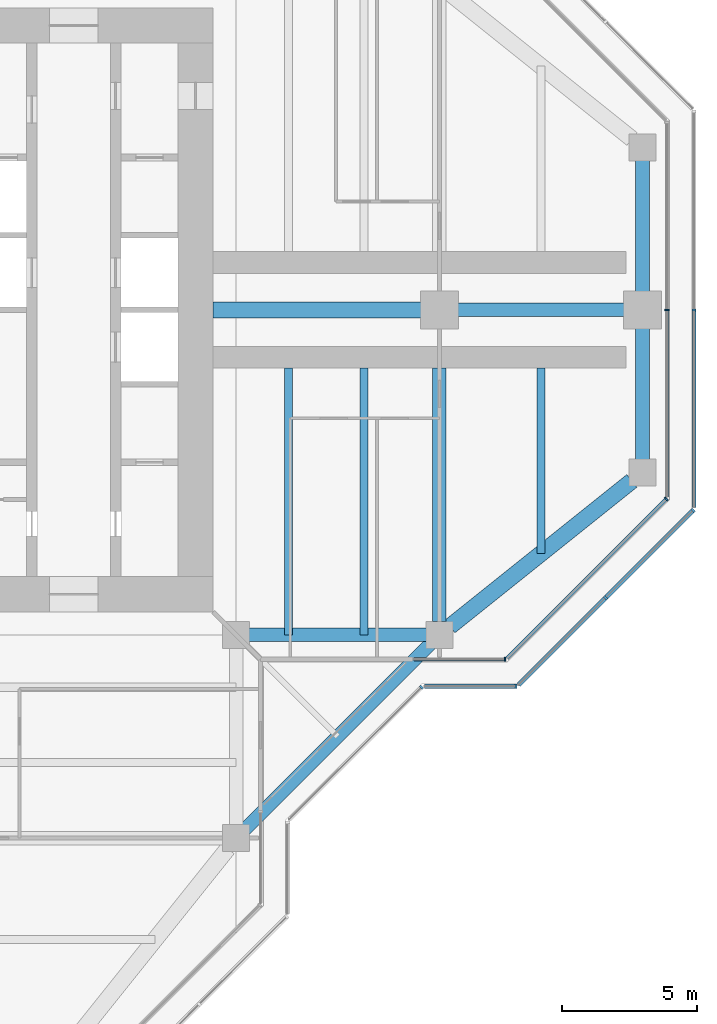
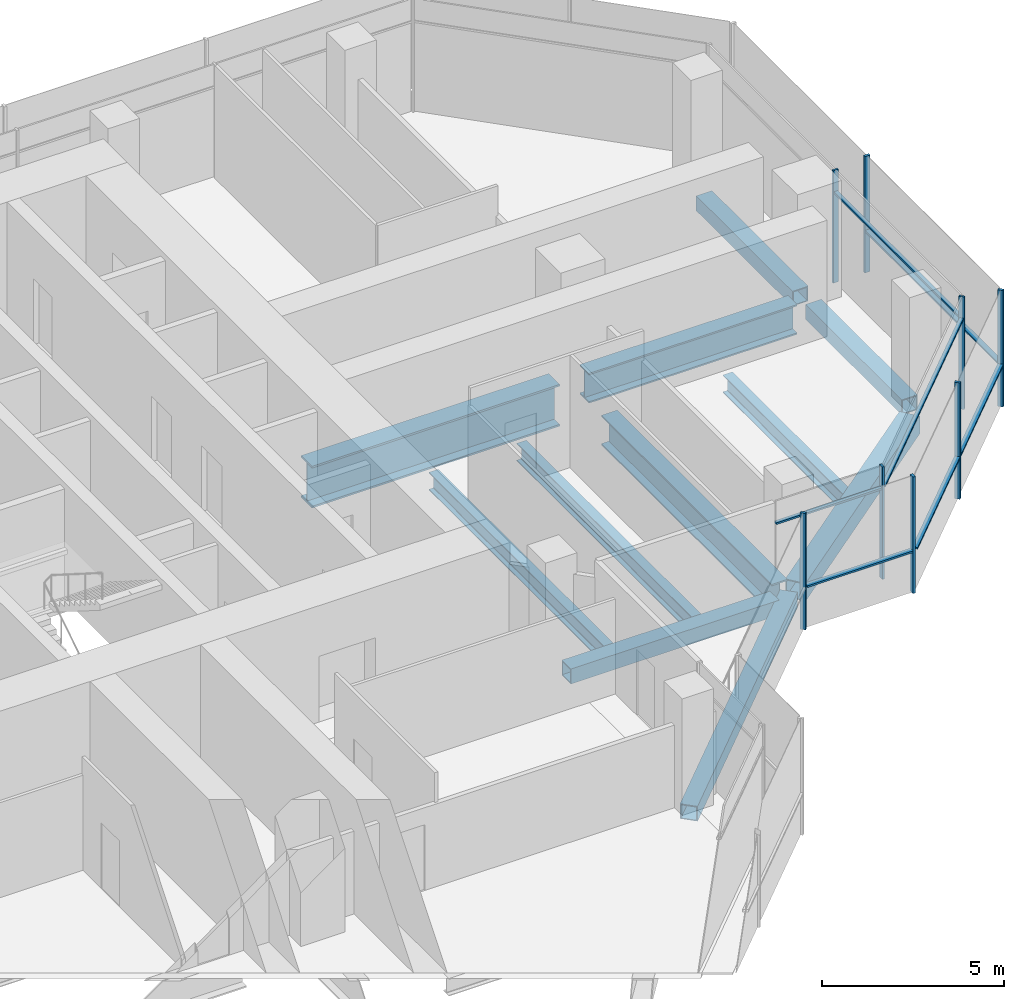
# One storey, part 5 of 16: 15 members, 11 beams, 7 elements without a shape of their own.
"""IFC4 building model written with IfcOpenShell, lengths in metres."""

import ifcopenshell
import ifcopenshell.guid

model = None  # the IFC model being written
_history = None  # IfcOwnerHistory: only IFC2X3 demands one
_inside = {}  # id of a spatial element -> (the spatial element, [elements in it])
_under = {}  # id of a project, library or spatial element -> (it, [spatial elements below it])
_declared = {}  # id of a project -> (the project, [libraries it declares])
_typed = {}  # id of a type object -> (the type object, [elements of that type])
_made_of = {}  # id of a material, layer set ... -> (it, [elements and type objects made of it])


def new_model(schema):
    """Start an empty IFC model of exactly this schema.

    Asked for "IFC4X3", IfcOpenShell would pick the latest addendum, in which some entities
    have other attributes; the version numbers below select the first issue.
    IFC2X3 requires an IfcOwnerHistory on every rooted entity: one is made here for all.
    """
    global model, _history
    if schema == "IFC4X3":
        model = ifcopenshell.file(schema_version=(4, 3, 0, 0))
    else:
        model = ifcopenshell.file(schema=schema)
    _inside.clear()
    _under.clear()
    _declared.clear()
    _typed.clear()
    _made_of.clear()
    _history = None
    if model.schema == "IFC2X3":
        org = make("IfcOrganization", Name="unknown")
        user = make(
            "IfcPersonAndOrganization",
            ThePerson=make("IfcPerson", FamilyName="unknown"),
            TheOrganization=org,
        )
        app = make(
            "IfcApplication",
            ApplicationDeveloper=org,
            Version="unknown",
            ApplicationFullName="unknown",
            ApplicationIdentifier="unknown",
        )
        _history = make(
            "IfcOwnerHistory",
            OwningUser=user,
            OwningApplication=app,
            ChangeAction="ADDED",
            CreationDate=0,
        )
    return model


def make(cls, **values):
    """One entity of the class cls with the attributes given. An attribute that is None is left unset."""
    return model.create_entity(
        cls, **{name: value for name, value in values.items() if value is not None}
    )


def rooted(cls, **values):
    """An entity with a GlobalId (a new one), such as an element, a storey or a relation."""
    return make(cls, GlobalId=ifcopenshell.guid.new(), OwnerHistory=_history, **values)


def si_unit(unit_type, name, prefix=None):
    """IfcSIUnit, for example si_unit("LENGTHUNIT", "METRE", prefix="MILLI")."""
    return make("IfcSIUnit", UnitType=unit_type, Prefix=prefix, Name=name)


def assignment(units):
    """IfcUnitAssignment: the units of a project."""
    return None if units is None else make("IfcUnitAssignment", Units=units)


def point(xyz):
    """IfcCartesianPoint."""
    return None if xyz is None else make("IfcCartesianPoint", Coordinates=xyz)


def direction(xyz):
    """IfcDirection."""
    return None if xyz is None else make("IfcDirection", DirectionRatios=xyz)


def frame(location, z_axis=None, x_axis=None):
    """IfcAxis2Placement3D, a coordinate frame: its origin and axes. An axis left out is left unset."""
    return make(
        "IfcAxis2Placement3D",
        Location=point(location),
        Axis=direction(z_axis),
        RefDirection=direction(x_axis),
    )


def frame_2d(location, x_axis=None):
    """IfcAxis2Placement2D, a coordinate frame in the plane: its origin and x axis."""
    return make(
        "IfcAxis2Placement2D", Location=point(location), RefDirection=direction(x_axis)
    )


def origin():
    """The frame at (0, 0, 0) with its axes left unset."""
    return frame((0.0, 0.0, 0.0))


def origin_2d():
    """The frame at (0, 0) in the plane with its x axis left unset."""
    return frame_2d((0.0, 0.0))


def place(relative_to, where):
    """IfcLocalPlacement: puts the frame where relative to a parent placement (None: the world)."""
    return make(
        "IfcLocalPlacement", PlacementRelTo=relative_to, RelativePlacement=where
    )


def context(
    kind, dimensions, precision=None, world=None, true_north=None, identifier=None
):
    """IfcGeometricRepresentationContext, for example the 3D "Model" context."""
    return make(
        "IfcGeometricRepresentationContext",
        ContextIdentifier=identifier,
        ContextType=kind,
        CoordinateSpaceDimension=dimensions,
        Precision=precision,
        WorldCoordinateSystem=world,
        TrueNorth=true_north,
    )


def subcontext(parent, identifier, kind, view, scale=None):
    """IfcGeometricRepresentationSubContext, for example "Body" below "Model"."""
    return make(
        "IfcGeometricRepresentationSubContext",
        ContextIdentifier=identifier,
        ContextType=kind,
        ParentContext=parent,
        TargetScale=scale,
        TargetView=view,
    )


def project(units=None, contexts=None):
    """IfcProject with its units and contexts."""
    return rooted(
        "IfcProject",
        Name="project",
        RepresentationContexts=contexts,
        UnitsInContext=assignment(units),
    )


def spatial(cls, under=None, at=None, **own):
    """A site, building, storey or space (cls), placed at a placement, below another one or the project."""
    s = rooted(cls, ObjectPlacement=at, **own)
    if under is not None:
        _under.setdefault(under.id(), (under, []))[1].append(s)
    return s


def profile(cls, at=None, kind="AREA", **sizes):
    """A parametric profile (cls). Its sizes go by their IFC names, for example OverallWidth=200.0."""
    return make(cls, ProfileType=kind, Position=at, **sizes)


def rectangle(**sizes):
    """IfcRectangleProfileDef."""
    return profile("IfcRectangleProfileDef", **sizes)


def hollow_rectangle(**sizes):
    """IfcRectangleHollowProfileDef."""
    return profile("IfcRectangleHollowProfileDef", **sizes)


def i_section(**sizes):
    """IfcIShapeProfileDef."""
    return profile("IfcIShapeProfileDef", **sizes)


def extrude(swept, where, along, depth):
    """IfcExtrudedAreaSolid: the profile swept, set in the frame where, extruded along a direction by depth."""
    return make(
        "IfcExtrudedAreaSolid",
        SweptArea=swept,
        Position=where,
        ExtrudedDirection=direction(along),
        Depth=depth,
    )


def shape(context_of_items, identifier, shape_type, items):
    """IfcShapeRepresentation: the items that make up one representation, for example the "Body"."""
    return make(
        "IfcShapeRepresentation",
        ContextOfItems=context_of_items,
        RepresentationIdentifier=identifier,
        RepresentationType=shape_type,
        Items=items,
    )


def material(Name=None, Category=None):
    """IfcMaterial."""
    return make("IfcMaterial", Name=Name, Category=Category)


def material_profile(
    of_material, cross_section, Name=None, Category=None, Priority=None
):
    """IfcMaterialProfile: a cross section and its material."""
    return make(
        "IfcMaterialProfile",
        Name=Name,
        Material=of_material,
        Profile=cross_section,
        Priority=Priority,
        Category=Category,
    )


def profile_set(profiles, Name=None, composite=None):
    """IfcMaterialProfileSet."""
    return make(
        "IfcMaterialProfileSet",
        Name=Name,
        MaterialProfiles=profiles,
        CompositeProfile=composite,
    )


def made_of(thing, what):
    """Note that an element or type object is made of a material, layer set ...; save() writes the relation."""
    if what is not None:
        _made_of.setdefault(what.id(), (what, []))[1].append(thing)
    return thing


def type_object(cls, material=None, **own):
    """A type object (cls), such as IfcWallType, which elements share."""
    return made_of(rooted(cls, **own), material)


def element(
    cls,
    number,
    at=None,
    inside=None,
    cuts=None,
    type_object=None,
    material=None,
    context=None,
    identifier="Body",
    shape_type=None,
    held_by="IfcProductDefinitionShape",
    body=None,
    shapes=None,
    **own,
):
    """One element of the class cls, such as IfcWall. Its Tag is "e" and its number.

    at: its placement. inside: the storey or other place that contains it. cuts: it is an
    opening in that element (IfcRelVoidsElement). A single representation is given by context,
    identifier, shape_type and body (its items); several are given by shapes. held_by: the class
    of the entity that holds the representations. save() writes the other relations.
    """
    e = rooted(cls, Tag="e%d" % number, ObjectPlacement=at, **own)
    if body is not None:
        shapes = [shape(context, identifier, shape_type, body)]
    if shapes is not None:
        e.Representation = make(held_by, Representations=shapes)
    if inside is not None:
        _inside.setdefault(inside.id(), (inside, []))[1].append(e)
    if cuts is not None:
        rooted(
            "IfcRelVoidsElement", RelatingBuildingElement=cuts, RelatedOpeningElement=e
        )
    if type_object is not None:
        _typed.setdefault(type_object.id(), (type_object, []))[1].append(e)
    return made_of(e, material)


def aggregate(whole, parts):
    """IfcRelAggregates: a whole, such as a stair, and the parts it consists of."""
    return rooted("IfcRelAggregates", RelatingObject=whole, RelatedObjects=parts)


def save(model, path):
    """Write the relations noted so far, then the file.

    IfcRelAggregates (storeys below a building ...), IfcRelContainedInSpatialStructure (elements
    in a storey), IfcRelDefinesByType, IfcRelAssociatesMaterial and IfcRelDeclares: one each for
    every whole, place, type object, material and project.
    """
    for whole, parts in _under.values():
        aggregate(whole, parts)
    for where, things in _inside.values():
        rooted(
            "IfcRelContainedInSpatialStructure",
            RelatedElements=things,
            RelatingStructure=where,
        )
    for kind, things in _typed.values():
        rooted("IfcRelDefinesByType", RelatedObjects=things, RelatingType=kind)
    for what, things in _made_of.values():
        rooted("IfcRelAssociatesMaterial", RelatedObjects=things, RelatingMaterial=what)
    for by, libraries in _declared.values():
        rooted("IfcRelDeclares", RelatingContext=by, RelatedDefinitions=libraries)
    model.write(path)


model = new_model("IFC4")

# Units and contexts
model_context = context("Model", 3, precision=1e-05, world=origin(), true_north=direction((0.0, 1.0)))
body_context = subcontext(model_context, "Body", "Model", "MODEL_VIEW")
ifc_project = project(units=[si_unit("LENGTHUNIT", "METRE"), si_unit("AREAUNIT", "SQUARE_METRE"), si_unit("VOLUMEUNIT", "CUBIC_METRE"), si_unit("PLANEANGLEUNIT", "RADIAN"), si_unit("MASSUNIT", "GRAM", prefix="KILO")], contexts=[model_context])

# Site, building, storey
site_placement = place(None, origin())
site = spatial("IfcSite", under=ifc_project, at=site_placement, CompositionType="ELEMENT")
building_placement = place(site_placement, origin())
building = spatial("IfcBuilding", under=site, at=building_placement, Name="Mizan Broadcast Tower", CompositionType="ELEMENT")
storey_placement = place(building_placement, frame((0.0, 0.0, 290.699951171875)))
storey = spatial("IfcBuildingStorey", under=building, at=storey_placement, Name="L69", CompositionType="ELEMENT", Elevation=290.699951171875)

# Beams
ifc_material_1 = material(Name="Steel S355", Category="steel")
ifc_material_profile_1 = material_profile(ifc_material_1, hollow_rectangle(XDim=0.5, YDim=0.5, WallThickness=0.030029296875, at=origin_2d()), Name="BOX 500x500x30")
ifc_profile_set_1 = profile_set([ifc_material_profile_1], Name="Steel S355")
beam_type_1 = type_object("IfcBeamType", Name="EDGE BEAM BOX 500x500x30", PredefinedType="SPANDREL", material=ifc_profile_set_1)
beam_1_placement = place(storey_placement, frame((12.449951171875, -12.0, -0.3798828125), z_axis=(1.0, 0.0, 0.0), x_axis=(0.0, 1.0, 0.0)))
element("IfcBeam", 1, at=beam_1_placement, inside=storey, type_object=beam_type_1, Name="Edge beam BOX 500x500x30 L69 east arm", PredefinedType="SPANDREL", context=body_context, shape_type="SweptSolid", body=[
    extrude(hollow_rectangle(XDim=0.5, YDim=0.5, WallThickness=0.030029296875, at=origin_2d()), origin(), (0.0, 0.0, 1.0), 6.60009765625),
])
for number, where, z_axis, x_axis, name in (
    (2, (27.0, -5.639892578125, -0.3798828125), (0.0, 1.0, 0.0), (-1.0, 0.0, 0.0), "Edge beam BOX 500x500x30 L69 east arm"),
    (3, (27.0, 5.639892578125, -0.3798828125), (0.0, -1.0, 0.0), (1.0, 0.0, 0.0), "Edge beam BOX 500x500x30 L69 east arm"),
):
    element("IfcBeam", number, at=place(storey_placement, frame(where, z_axis=z_axis, x_axis=x_axis)), inside=storey, type_object=beam_type_1, Name=name, PredefinedType="SPANDREL", context=body_context, shape_type="SweptSolid", body=[
        extrude(hollow_rectangle(XDim=0.5, YDim=0.5, WallThickness=0.030029296875, at=origin_2d()), origin(), (0.0, 0.0, 1.0), 5.27978515625),
    ])
beam_2_placement = place(storey_placement, frame((12.0, -19.5, -0.3798828125), z_axis=(0.707106781187, 0.707106781187, 0.0), x_axis=(-0.707106781187, 0.707106781187, 0.0)))
element("IfcBeam", 4, at=beam_2_placement, inside=storey, type_object=beam_type_1, Name="Winter garden edge beam L69 S", PredefinedType="SPANDREL", context=body_context, shape_type="SweptSolid", body=[
    extrude(hollow_rectangle(XDim=0.5, YDim=0.5, WallThickness=0.030029296875, at=origin_2d()), origin(), (0.0, 0.0, 1.0), 10.606689453125),
])
ifc_material_2 = material(Name="Steel S355", Category="steel")
ifc_material_profile_2 = material_profile(ifc_material_2, hollow_rectangle(XDim=0.60009765625, YDim=0.60009765625, WallThickness=0.030029296875, at=origin_2d()), Name="BOX 600x600x30")
ifc_profile_set_2 = profile_set([ifc_material_profile_2], Name="Steel S355")
beam_type_2 = type_object("IfcBeamType", Name="EDGE BEAM BOX 600x600x30", PredefinedType="SPANDREL", material=ifc_profile_set_2)
beam_3_placement = place(storey_placement, frame((19.890380859375, -11.687744140625, -0.429931640625), z_axis=(0.780863273348, 0.62470196761, 0.0), x_axis=(-0.62470196761, 0.780863273348, 0.0)))
element("IfcBeam", 5, at=beam_3_placement, inside=storey, type_object=beam_type_2, Name="Edge beam BOX 600x600x30 L69 east arm", PredefinedType="SPANDREL", context=body_context, shape_type="SweptSolid", body=[
    extrude(hollow_rectangle(XDim=0.60009765625, YDim=0.60009765625, WallThickness=0.030029296875, at=origin_2d()), origin(), (0.0, 0.0, 1.0), 8.60498046875),
])
ifc_material_3 = material(Name="Steel S460", Category="steel")
ifc_material_profile_3 = material_profile(ifc_material_3, i_section(OverallWidth=0.5, OverallDepth=1.0, WebThickness=0.02490234375, FlangeThickness=0.050048828125, at=origin_2d()), Name="WPG 1000x500")
ifc_profile_set_3 = profile_set([ifc_material_profile_3], Name="Steel S460")
beam_type_3 = type_object("IfcBeamType", Name="GIRDER WPG 1000x500", PredefinedType="BEAM", material=ifc_profile_set_3)
beam_4_placement = place(storey_placement, frame((19.949951171875, 0.0, -0.6298828125), z_axis=(1.0, 0.0, 0.0), x_axis=(0.0, 1.0, 0.0)))
element("IfcBeam", 6, at=beam_4_placement, inside=storey, type_object=beam_type_3, Name="Girder WPG 1000x500 L69 east arm", PredefinedType="BEAM", context=body_context, shape_type="SweptSolid", body=[
    extrude(i_section(OverallWidth=0.5, OverallDepth=1.0, WebThickness=0.02490234375, FlangeThickness=0.050048828125, at=origin_2d()), origin(), (0.0, 0.0, 1.0), 6.60009765625),
])
beam_5_placement = place(storey_placement, frame((19.5, -11.5, -0.6298828125), z_axis=(0.0, 1.0, 0.0), x_axis=(-1.0, 0.0, 0.0)))
element("IfcBeam", 7, at=beam_5_placement, inside=storey, type_object=beam_type_3, Name="Girder WPG 1000x500 L69 east arm", PredefinedType="BEAM", context=body_context, shape_type="SweptSolid", body=[
    extrude(i_section(OverallWidth=0.5, OverallDepth=1.0, WebThickness=0.02490234375, FlangeThickness=0.050048828125, at=origin_2d()), origin(), (0.0, 0.0, 1.0), 9.35009765625),
])
ifc_material_4 = material(Name="Steel S460", Category="steel")
ifc_material_profile_4 = material_profile(ifc_material_4, i_section(OverallWidth=0.60009765625, OverallDepth=1.39990234375, WebThickness=0.02490234375, FlangeThickness=0.06005859375, at=origin_2d()), Name="WPG 1400x600")
ifc_profile_set_4 = profile_set([ifc_material_profile_4], Name="Steel S460")
beam_type_4 = type_object("IfcBeamType", Name="GIRDER WPG 1400x600", PredefinedType="BEAM", material=ifc_profile_set_4)
beam_6_placement = place(storey_placement, frame((11.14990234375, 0.0, -0.829833984375), z_axis=(1.0, 0.0, 0.0), x_axis=(0.0, 1.0, 0.0)))
element("IfcBeam", 8, at=beam_6_placement, inside=storey, type_object=beam_type_4, Name="Girder WPG 1400x600 L69 east arm", PredefinedType="BEAM", context=body_context, shape_type="SweptSolid", body=[
    extrude(i_section(OverallWidth=0.60009765625, OverallDepth=1.39990234375, WebThickness=0.02490234375, FlangeThickness=0.06005859375, at=origin_2d()), origin(), (0.0, 0.0, 1.0), 7.84912109375),
])

# Curtain wall, member
ifc_material_5 = material(Name="Aluminium framed glazing", Category="aluminium")
curtain_wall_type_1 = type_object("IfcCurtainWallType", Name="INNER SKIN TOP ZONE", PredefinedType="USERDEFINED", material=ifc_material_5)
curtain_wall_1_placement = place(storey_placement, origin())
curtain_wall_1 = element("IfcCurtainWall", 9, at=curtain_wall_1_placement, inside=storey, type_object=curtain_wall_type_1, Name="Inner skin top zone L69 E side", ObjectType="INNER SKIN TOP ZONE", PredefinedType="USERDEFINED")
ifc_material_6 = material(Name="Aluminium, pale anodised", Category="aluminium")
ifc_material_profile_5 = material_profile(ifc_material_6, rectangle(XDim=0.159912109375, YDim=0.06005859375, at=origin_2d()), Name="MULLION 160x60")
ifc_profile_set_5 = profile_set([ifc_material_profile_5], Name="Aluminium, pale anodised")
member_type_1 = type_object("IfcMemberType", Name="INNER SKIN MULLION 60x160", PredefinedType="MULLION", material=ifc_profile_set_5)
member_1_placement = place(storey_placement, frame((21.928466796875, -12.89990234375, 0.0), z_axis=(0.0, 0.0, 1.0), x_axis=(0.0, 1.0, 0.0)))
member_1 = element("IfcMember", 10, at=member_1_placement, type_object=member_type_1, Name="Inner skin top zone L69 E side mullion 2", PredefinedType="MULLION", context=body_context, shape_type="SweptSolid", body=[
    extrude(rectangle(XDim=0.159912109375, YDim=0.06005859375, at=origin_2d()), origin(), (0.0, 0.0, 1.0), 3.77001953125),
])

curtain_wall_2_placement = place(storey_placement, origin())
curtain_wall_2 = element("IfcCurtainWall", 11, at=curtain_wall_2_placement, inside=storey, type_object=curtain_wall_type_1, Name="Inner skin top zone L69 E chamfer", ObjectType="INNER SKIN TOP ZONE", PredefinedType="USERDEFINED")
member_2_placement = place(storey_placement, frame((27.87890625, -6.979736328125, 0.0), z_axis=(0.0, 0.0, 1.0), x_axis=(-0.707106781187, 0.707106781187, 0.0)))
member_2 = element("IfcMember", 12, at=member_2_placement, type_object=member_type_1, Name="Inner skin top zone L69 E chamfer mullion 2", PredefinedType="MULLION", context=body_context, shape_type="SweptSolid", body=[
    extrude(rectangle(XDim=0.159912109375, YDim=0.06005859375, at=origin_2d()), origin(), (0.0, 0.0, 1.0), 3.77001953125),
])

curtain_wall_3_placement = place(storey_placement, origin())
curtain_wall_3 = element("IfcCurtainWall", 13, at=curtain_wall_3_placement, inside=storey, type_object=curtain_wall_type_1, Name="Inner skin top zone L69 E end", ObjectType="INNER SKIN TOP ZONE", PredefinedType="USERDEFINED")
member_3_placement = place(storey_placement, frame((27.89990234375, 0.0, 0.0), z_axis=(0.0, 0.0, 1.0), x_axis=(-1.0, 0.0, 0.0)))
member_3 = element("IfcMember", 14, at=member_3_placement, type_object=member_type_1, Name="Inner skin top zone L69 E end mullion 2", PredefinedType="MULLION", context=body_context, shape_type="SweptSolid", body=[
    extrude(rectangle(XDim=0.159912109375, YDim=0.06005859375, at=origin_2d()), origin(), (0.0, 0.0, 1.0), 3.77001953125),
])

# Member
ifc_material_7 = material(Name="Aluminium, pale anodised", Category="aluminium")
ifc_material_profile_6 = material_profile(ifc_material_7, rectangle(XDim=0.1201171875, YDim=0.06005859375, at=origin_2d()), Name="TRANSOM 120x60")
ifc_profile_set_6 = profile_set([ifc_material_profile_6], Name="Aluminium, pale anodised")
member_type_2 = type_object("IfcMemberType", Name="INNER SKIN TRANSOM 60x120", PredefinedType="USERDEFINED", material=ifc_profile_set_6)
member_4_placement = place(storey_placement, frame((18.56005859375, -12.89990234375, 3.030029296875), z_axis=(1.0, 0.0, 0.0), x_axis=(0.0, 1.0, 0.0)))
member_4 = element("IfcMember", 15, at=member_4_placement, type_object=member_type_2, Name="Inner skin top zone L69 E side transom 1.1", ObjectType="TRANSOM", PredefinedType="USERDEFINED", context=body_context, shape_type="SweptSolid", body=[
    extrude(rectangle(XDim=0.1201171875, YDim=0.06005859375, at=origin_2d()), origin(), (0.0, 0.0, 1.0), 3.338623046875),
])

aggregate(curtain_wall_1, [member_1, member_4])

member_5_placement = place(storey_placement, frame((22.0009765625, -12.857666015625, 3.030029296875), z_axis=(0.707106781187, 0.707106781187, 0.0), x_axis=(-0.707106781187, 0.707106781187, 0.0)))
member_5 = element("IfcMember", 16, at=member_5_placement, type_object=member_type_2, Name="Inner skin top zone L69 E chamfer transom 1.1", ObjectType="TRANSOM", PredefinedType="USERDEFINED", context=body_context, shape_type="SweptSolid", body=[
    extrude(rectangle(XDim=0.1201171875, YDim=0.06005859375, at=origin_2d()), origin(), (0.0, 0.0, 1.0), 8.28271484375),
])

aggregate(curtain_wall_2, [member_2, member_5])

member_6_placement = place(storey_placement, frame((27.89990234375, -6.898681640625, 3.030029296875), z_axis=(0.0, 1.0, 0.0), x_axis=(-1.0, 0.0, 0.0)))
member_6 = element("IfcMember", 17, at=member_6_placement, type_object=member_type_2, Name="Inner skin top zone L69 E end transom 1.1", ObjectType="TRANSOM", PredefinedType="USERDEFINED", context=body_context, shape_type="SweptSolid", body=[
    extrude(rectangle(XDim=0.1201171875, YDim=0.06005859375, at=origin_2d()), origin(), (0.0, 0.0, 1.0), 6.86865234375),
])

aggregate(curtain_wall_3, [member_3, member_6])

# Curtain wall, member
ifc_material_8 = material(Name="Aluminium framed glazing", Category="aluminium")
curtain_wall_type_2 = type_object("IfcCurtainWallType", Name="OUTER SKIN", PredefinedType="USERDEFINED", material=ifc_material_8)
curtain_wall_4_placement = place(storey_placement, origin())
curtain_wall_4 = element("IfcCurtainWall", 18, at=curtain_wall_4_placement, inside=storey, type_object=curtain_wall_type_2, Name="Outer skin L69 E chamfer", ObjectType="OUTER SKIN", PredefinedType="USERDEFINED")
ifc_material_9 = material(Name="Aluminium, pale anodised", Category="aluminium")
ifc_material_profile_7 = material_profile(ifc_material_9, rectangle(XDim=0.159912109375, YDim=0.080078125, at=origin_2d()), Name="MULLION 160x80")
ifc_profile_set_7 = profile_set([ifc_material_profile_7], Name="Aluminium, pale anodised")
member_type_3 = type_object("IfcMemberType", Name="OUTER SKIN MULLION 80x160", PredefinedType="MULLION", material=ifc_profile_set_7)
member_7_placement = place(storey_placement, frame((18.844482421875, -13.92822265625, 0.0), z_axis=(0.0, 0.0, 1.0), x_axis=(-0.707106781187, 0.707106781187, 0.0)))
member_7 = element("IfcMember", 19, at=member_7_placement, type_object=member_type_3, Name="Outer skin L69 E chamfer mullion 2", PredefinedType="MULLION", context=body_context, shape_type="SweptSolid", body=[
    extrude(rectangle(XDim=0.159912109375, YDim=0.080078125, at=origin_2d()), origin(), (0.0, 0.0, 1.0), 3.900146484375),
])
aggregate(curtain_wall_4, [member_7])

curtain_wall_5_placement = place(storey_placement, origin())
curtain_wall_5 = element("IfcCurtainWall", 20, at=curtain_wall_5_placement, inside=storey, type_object=curtain_wall_type_2, Name="Outer skin L69 E side", ObjectType="OUTER SKIN", PredefinedType="USERDEFINED")
member_8_placement = place(storey_placement, frame((22.332763671875, -13.89990234375, 0.0), z_axis=(0.0, 0.0, 1.0), x_axis=(0.0, 1.0, 0.0)))
member_8 = element("IfcMember", 21, at=member_8_placement, type_object=member_type_3, Name="Outer skin L69 E side mullion 2", PredefinedType="MULLION", context=body_context, shape_type="SweptSolid", body=[
    extrude(rectangle(XDim=0.159912109375, YDim=0.080078125, at=origin_2d()), origin(), (0.0, 0.0, 1.0), 3.900146484375),
])

# Curtain wall, members
curtain_wall_6_placement = place(storey_placement, origin())
curtain_wall_6 = element("IfcCurtainWall", 22, at=curtain_wall_6_placement, inside=storey, type_object=curtain_wall_type_2, Name="Outer skin L69 E chamfer", ObjectType="OUTER SKIN", PredefinedType="USERDEFINED")
member_9_placement = place(storey_placement, frame((25.636474609375, -10.636474609375, 0.0), z_axis=(0.0, 0.0, 1.0), x_axis=(-0.707106781187, 0.707106781187, 0.0)))
member_9 = element("IfcMember", 23, at=member_9_placement, type_object=member_type_3, Name="Outer skin L69 E chamfer mullion 2", PredefinedType="MULLION", context=body_context, shape_type="SweptSolid", body=[
    extrude(rectangle(XDim=0.159912109375, YDim=0.080078125, at=origin_2d()), origin(), (0.0, 0.0, 1.0), 3.900146484375),
])
member_10_placement = place(storey_placement, frame((28.871826171875, -7.401123046875, 0.0), z_axis=(0.0, 0.0, 1.0), x_axis=(-0.707106781187, 0.707106781187, 0.0)))
member_10 = element("IfcMember", 24, at=member_10_placement, type_object=member_type_3, Name="Outer skin L69 E chamfer mullion 3", PredefinedType="MULLION", context=body_context, shape_type="SweptSolid", body=[
    extrude(rectangle(XDim=0.159912109375, YDim=0.080078125, at=origin_2d()), origin(), (0.0, 0.0, 1.0), 3.900146484375),
])

# Curtain wall, member
curtain_wall_7_placement = place(storey_placement, origin())
curtain_wall_7 = element("IfcCurtainWall", 25, at=curtain_wall_7_placement, inside=storey, type_object=curtain_wall_type_2, Name="Outer skin L69 E end", ObjectType="OUTER SKIN", PredefinedType="USERDEFINED")
member_11_placement = place(storey_placement, frame((28.89990234375, 0.0, 0.0), z_axis=(0.0, 0.0, 1.0), x_axis=(-1.0, 0.0, 0.0)))
member_11 = element("IfcMember", 26, at=member_11_placement, type_object=member_type_3, Name="Outer skin L69 E end mullion 2", PredefinedType="MULLION", context=body_context, shape_type="SweptSolid", body=[
    extrude(rectangle(XDim=0.159912109375, YDim=0.080078125, at=origin_2d()), origin(), (0.0, 0.0, 1.0), 3.900146484375),
])

# Member
ifc_material_10 = material(Name="Aluminium, pale anodised", Category="aluminium")
ifc_material_profile_8 = material_profile(ifc_material_10, rectangle(XDim=0.159912109375, YDim=0.06005859375, at=origin_2d()), Name="TRANSOM 160x60")
ifc_profile_set_8 = profile_set([ifc_material_profile_8], Name="Aluminium, pale anodised")
member_type_4 = type_object("IfcMemberType", Name="OUTER SKIN TRANSOM 60x160", PredefinedType="USERDEFINED", material=ifc_profile_set_8)
member_12_placement = place(storey_placement, frame((18.952880859375, -13.89990234375, 1.400146484375), z_axis=(1.0, 0.0, 0.0), x_axis=(0.0, 1.0, 0.0)))
member_12 = element("IfcMember", 27, at=member_12_placement, type_object=member_type_4, Name="Outer skin L69 E side transom 1.1", ObjectType="TRANSOM", PredefinedType="USERDEFINED", context=body_context, shape_type="SweptSolid", body=[
    extrude(rectangle(XDim=0.159912109375, YDim=0.06005859375, at=origin_2d()), origin(), (0.0, 0.0, 1.0), 3.33984375),
])

aggregate(curtain_wall_5, [member_8, member_12])

member_13_placement = place(storey_placement, frame((22.429443359375, -13.843505859375, 1.400146484375), z_axis=(0.707106781187, 0.707106781187, 0.0), x_axis=(-0.707106781187, 0.707106781187, 0.0)))
member_13 = element("IfcMember", 28, at=member_13_placement, type_object=member_type_4, Name="Outer skin L69 E chamfer transom 1.1", ObjectType="TRANSOM", PredefinedType="USERDEFINED", context=body_context, shape_type="SweptSolid", body=[
    extrude(rectangle(XDim=0.159912109375, YDim=0.06005859375, at=origin_2d()), origin(), (0.0, 0.0, 1.0), 4.495361328125),
])

member_14_placement = place(storey_placement, frame((25.664794921875, -10.608154296875, 1.400146484375), z_axis=(0.707106781187, 0.707106781187, 0.0), x_axis=(-0.707106781187, 0.707106781187, 0.0)))
member_14 = element("IfcMember", 29, at=member_14_placement, type_object=member_type_4, Name="Outer skin L69 E chamfer transom 2.1", ObjectType="TRANSOM", PredefinedType="USERDEFINED", context=body_context, shape_type="SweptSolid", body=[
    extrude(rectangle(XDim=0.159912109375, YDim=0.06005859375, at=origin_2d()), origin(), (0.0, 0.0, 1.0), 4.495361328125),
])

aggregate(curtain_wall_6, [member_9, member_10, member_13, member_14])

member_15_placement = place(storey_placement, frame((28.89990234375, -7.292724609375, 1.400146484375), z_axis=(0.0, 1.0, 0.0), x_axis=(-1.0, 0.0, 0.0)))
member_15 = element("IfcMember", 30, at=member_15_placement, type_object=member_type_4, Name="Outer skin L69 E end transom 1.1", ObjectType="TRANSOM", PredefinedType="USERDEFINED", context=body_context, shape_type="SweptSolid", body=[
    extrude(rectangle(XDim=0.159912109375, YDim=0.06005859375, at=origin_2d()), origin(), (0.0, 0.0, 1.0), 7.252685546875),
])

aggregate(curtain_wall_7, [member_11, member_15])

# Beams
ifc_material_11 = material(Name="Steel S355", Category="steel")
ifc_material_profile_9 = material_profile(ifc_material_11, i_section(OverallWidth=0.300048828125, OverallDepth=0.590087890625, WebThickness=0.012939453125, FlangeThickness=0.02490234375, FilletRadius=0.027099609375, at=origin_2d()), Name="HEA 600")
ifc_profile_set_9 = profile_set([ifc_material_profile_9], Name="Steel S355")
beam_type_5 = type_object("IfcBeamType", Name="SECONDARY BEAM HEA 600", PredefinedType="JOIST", material=ifc_profile_set_9)
for number, where, z_axis, x_axis, name in (
    (31, (13.933349609375, -12.0, -0.425048828125), (0.0, 1.0, 0.0), (-1.0, 0.0, 0.0), "Secondary beam HEA 600 L69 east arm"),
    (32, (16.716552734375, -12.0, -0.425048828125), (0.0, 1.0, 0.0), (-1.0, 0.0, 0.0), "Secondary beam HEA 600 L69 east arm"),
):
    element("IfcBeam", number, at=place(storey_placement, frame(where, z_axis=z_axis, x_axis=x_axis)), inside=storey, type_object=beam_type_5, Name=name, PredefinedType="JOIST", context=body_context, shape_type="SweptSolid", body=[
        extrude(i_section(OverallWidth=0.300048828125, OverallDepth=0.590087890625, WebThickness=0.012939453125, FlangeThickness=0.02490234375, FilletRadius=0.027099609375, at=origin_2d()), origin(), (0.0, 0.0, 1.0), 9.85009765625),
    ])
beam_7_placement = place(storey_placement, frame((23.25, -9.0, -0.425048828125), z_axis=(0.0, 1.0, 0.0), x_axis=(-1.0, 0.0, 0.0)))
element("IfcBeam", 33, at=beam_7_placement, inside=storey, type_object=beam_type_5, Name="Secondary beam HEA 600 L69 east arm", PredefinedType="JOIST", context=body_context, shape_type="SweptSolid", body=[
    extrude(i_section(OverallWidth=0.300048828125, OverallDepth=0.590087890625, WebThickness=0.012939453125, FlangeThickness=0.02490234375, FilletRadius=0.027099609375, at=origin_2d()), origin(), (0.0, 0.0, 1.0), 6.85009765625),
])

save(model, "model.ifc")
